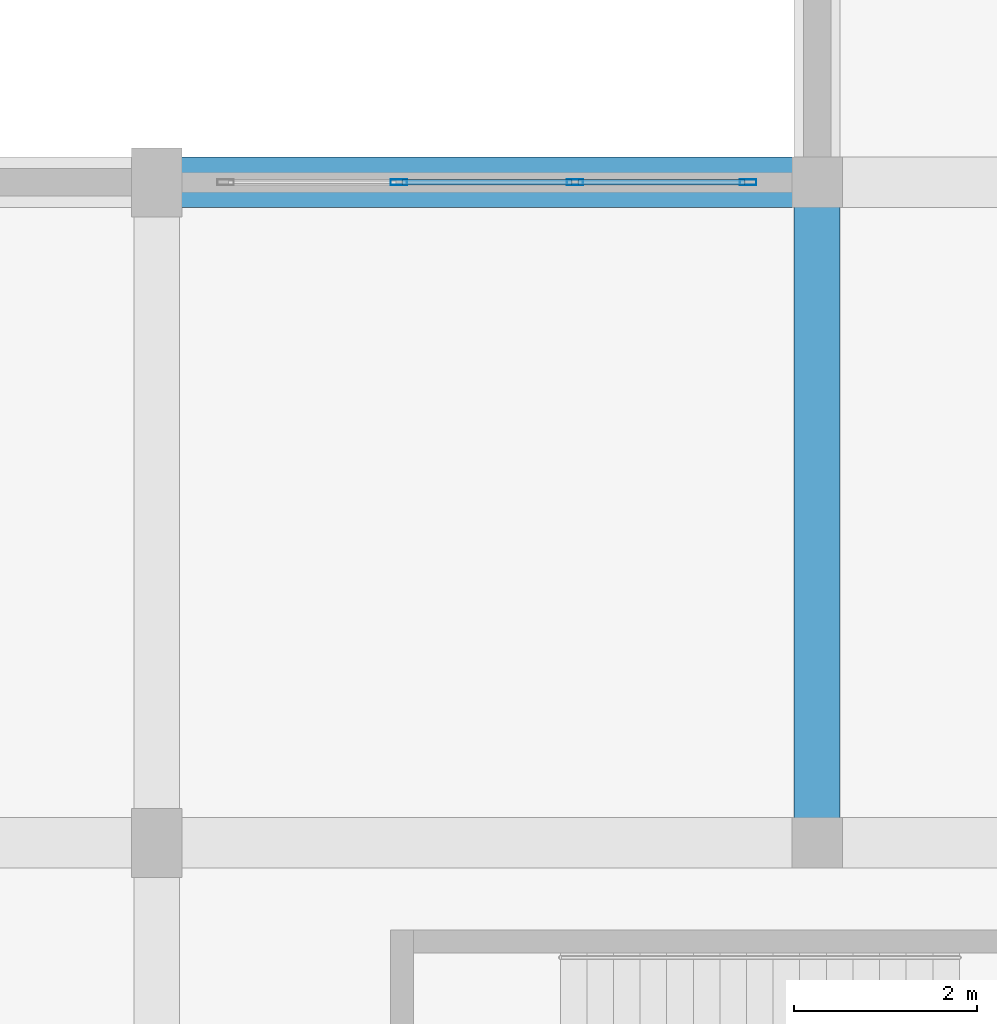
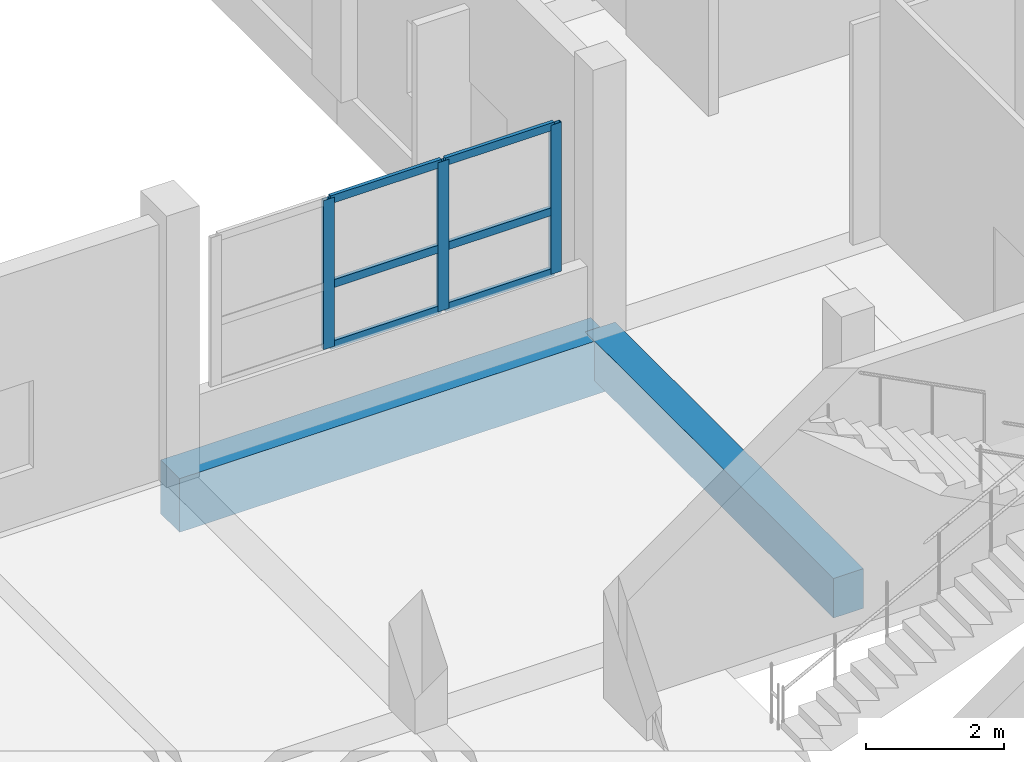
# One storey, part 115 of 181: 9 members, 2 beams, 1 element without a shape of its own.
"""IFC4 building model written with IfcOpenShell, lengths in metres."""

import ifcopenshell
import ifcopenshell.guid

model = None  # the IFC model being written
_history = None  # IfcOwnerHistory: only IFC2X3 demands one
_inside = {}  # id of a spatial element -> (the spatial element, [elements in it])
_under = {}  # id of a project, library or spatial element -> (it, [spatial elements below it])
_declared = {}  # id of a project -> (the project, [libraries it declares])
_typed = {}  # id of a type object -> (the type object, [elements of that type])
_made_of = {}  # id of a material, layer set ... -> (it, [elements and type objects made of it])


def new_model(schema):
    """Start an empty IFC model of exactly this schema.

    Asked for "IFC4X3", IfcOpenShell would pick the latest addendum, in which some entities
    have other attributes; the version numbers below select the first issue.
    IFC2X3 requires an IfcOwnerHistory on every rooted entity: one is made here for all.
    """
    global model, _history
    if schema == "IFC4X3":
        model = ifcopenshell.file(schema_version=(4, 3, 0, 0))
    else:
        model = ifcopenshell.file(schema=schema)
    _inside.clear()
    _under.clear()
    _declared.clear()
    _typed.clear()
    _made_of.clear()
    _history = None
    if model.schema == "IFC2X3":
        org = make("IfcOrganization", Name="unknown")
        user = make(
            "IfcPersonAndOrganization",
            ThePerson=make("IfcPerson", FamilyName="unknown"),
            TheOrganization=org,
        )
        app = make(
            "IfcApplication",
            ApplicationDeveloper=org,
            Version="unknown",
            ApplicationFullName="unknown",
            ApplicationIdentifier="unknown",
        )
        _history = make(
            "IfcOwnerHistory",
            OwningUser=user,
            OwningApplication=app,
            ChangeAction="ADDED",
            CreationDate=0,
        )
    return model


def make(cls, **values):
    """One entity of the class cls with the attributes given. An attribute that is None is left unset."""
    return model.create_entity(
        cls, **{name: value for name, value in values.items() if value is not None}
    )


def rooted(cls, **values):
    """An entity with a GlobalId (a new one), such as an element, a storey or a relation."""
    return make(cls, GlobalId=ifcopenshell.guid.new(), OwnerHistory=_history, **values)


def si_unit(unit_type, name, prefix=None):
    """IfcSIUnit, for example si_unit("LENGTHUNIT", "METRE", prefix="MILLI")."""
    return make("IfcSIUnit", UnitType=unit_type, Prefix=prefix, Name=name)


def assignment(units):
    """IfcUnitAssignment: the units of a project."""
    return None if units is None else make("IfcUnitAssignment", Units=units)


def point(xyz):
    """IfcCartesianPoint."""
    return None if xyz is None else make("IfcCartesianPoint", Coordinates=xyz)


def direction(xyz):
    """IfcDirection."""
    return None if xyz is None else make("IfcDirection", DirectionRatios=xyz)


def frame(location, z_axis=None, x_axis=None):
    """IfcAxis2Placement3D, a coordinate frame: its origin and axes. An axis left out is left unset."""
    return make(
        "IfcAxis2Placement3D",
        Location=point(location),
        Axis=direction(z_axis),
        RefDirection=direction(x_axis),
    )


def frame_2d(location, x_axis=None):
    """IfcAxis2Placement2D, a coordinate frame in the plane: its origin and x axis."""
    return make(
        "IfcAxis2Placement2D", Location=point(location), RefDirection=direction(x_axis)
    )


def origin():
    """The frame at (0, 0, 0) with its axes left unset."""
    return frame((0.0, 0.0, 0.0))


def origin_2d():
    """The frame at (0, 0) in the plane with its x axis left unset."""
    return frame_2d((0.0, 0.0))


def place(relative_to, where):
    """IfcLocalPlacement: puts the frame where relative to a parent placement (None: the world)."""
    return make(
        "IfcLocalPlacement", PlacementRelTo=relative_to, RelativePlacement=where
    )


def context(
    kind, dimensions, precision=None, world=None, true_north=None, identifier=None
):
    """IfcGeometricRepresentationContext, for example the 3D "Model" context."""
    return make(
        "IfcGeometricRepresentationContext",
        ContextIdentifier=identifier,
        ContextType=kind,
        CoordinateSpaceDimension=dimensions,
        Precision=precision,
        WorldCoordinateSystem=world,
        TrueNorth=true_north,
    )


def subcontext(parent, identifier, kind, view, scale=None):
    """IfcGeometricRepresentationSubContext, for example "Body" below "Model"."""
    return make(
        "IfcGeometricRepresentationSubContext",
        ContextIdentifier=identifier,
        ContextType=kind,
        ParentContext=parent,
        TargetScale=scale,
        TargetView=view,
    )


def project(units=None, contexts=None):
    """IfcProject with its units and contexts."""
    return rooted(
        "IfcProject",
        Name="project",
        RepresentationContexts=contexts,
        UnitsInContext=assignment(units),
    )


def spatial(cls, under=None, at=None, **own):
    """A site, building, storey or space (cls), placed at a placement, below another one or the project."""
    s = rooted(cls, ObjectPlacement=at, **own)
    if under is not None:
        _under.setdefault(under.id(), (under, []))[1].append(s)
    return s


def profile(cls, at=None, kind="AREA", **sizes):
    """A parametric profile (cls). Its sizes go by their IFC names, for example OverallWidth=200.0."""
    return make(cls, ProfileType=kind, Position=at, **sizes)


def rectangle(**sizes):
    """IfcRectangleProfileDef."""
    return profile("IfcRectangleProfileDef", **sizes)


def hollow_rectangle(**sizes):
    """IfcRectangleHollowProfileDef."""
    return profile("IfcRectangleHollowProfileDef", **sizes)


def extrude(swept, where, along, depth):
    """IfcExtrudedAreaSolid: the profile swept, set in the frame where, extruded along a direction by depth."""
    return make(
        "IfcExtrudedAreaSolid",
        SweptArea=swept,
        Position=where,
        ExtrudedDirection=direction(along),
        Depth=depth,
    )


def shape(context_of_items, identifier, shape_type, items):
    """IfcShapeRepresentation: the items that make up one representation, for example the "Body"."""
    return make(
        "IfcShapeRepresentation",
        ContextOfItems=context_of_items,
        RepresentationIdentifier=identifier,
        RepresentationType=shape_type,
        Items=items,
    )


def material(Name=None, Category=None):
    """IfcMaterial."""
    return make("IfcMaterial", Name=Name, Category=Category)


def layer(
    of_material, thickness, ventilated=None, Name=None, Category=None, Priority=None
):
    """IfcMaterialLayer: one layer of a wall or slab, of a material (None: an air gap)."""
    return make(
        "IfcMaterialLayer",
        Material=of_material,
        LayerThickness=thickness,
        IsVentilated=ventilated,
        Name=Name,
        Category=Category,
        Priority=Priority,
    )


def layer_set(layers, Name=None):
    """IfcMaterialLayerSet."""
    return make("IfcMaterialLayerSet", MaterialLayers=layers, LayerSetName=Name)


def material_profile(
    of_material, cross_section, Name=None, Category=None, Priority=None
):
    """IfcMaterialProfile: a cross section and its material."""
    return make(
        "IfcMaterialProfile",
        Name=Name,
        Material=of_material,
        Profile=cross_section,
        Priority=Priority,
        Category=Category,
    )


def profile_set(profiles, Name=None, composite=None):
    """IfcMaterialProfileSet."""
    return make(
        "IfcMaterialProfileSet",
        Name=Name,
        MaterialProfiles=profiles,
        CompositeProfile=composite,
    )


def made_of(thing, what):
    """Note that an element or type object is made of a material, layer set ...; save() writes the relation."""
    if what is not None:
        _made_of.setdefault(what.id(), (what, []))[1].append(thing)
    return thing


def type_object(cls, material=None, **own):
    """A type object (cls), such as IfcWallType, which elements share."""
    return made_of(rooted(cls, **own), material)


def element(
    cls,
    number,
    at=None,
    inside=None,
    cuts=None,
    type_object=None,
    material=None,
    context=None,
    identifier="Body",
    shape_type=None,
    held_by="IfcProductDefinitionShape",
    body=None,
    shapes=None,
    **own,
):
    """One element of the class cls, such as IfcWall. Its Tag is "e" and its number.

    at: its placement. inside: the storey or other place that contains it. cuts: it is an
    opening in that element (IfcRelVoidsElement). A single representation is given by context,
    identifier, shape_type and body (its items); several are given by shapes. held_by: the class
    of the entity that holds the representations. save() writes the other relations.
    """
    e = rooted(cls, Tag="e%d" % number, ObjectPlacement=at, **own)
    if body is not None:
        shapes = [shape(context, identifier, shape_type, body)]
    if shapes is not None:
        e.Representation = make(held_by, Representations=shapes)
    if inside is not None:
        _inside.setdefault(inside.id(), (inside, []))[1].append(e)
    if cuts is not None:
        rooted(
            "IfcRelVoidsElement", RelatingBuildingElement=cuts, RelatedOpeningElement=e
        )
    if type_object is not None:
        _typed.setdefault(type_object.id(), (type_object, []))[1].append(e)
    return made_of(e, material)


def aggregate(whole, parts):
    """IfcRelAggregates: a whole, such as a stair, and the parts it consists of."""
    return rooted("IfcRelAggregates", RelatingObject=whole, RelatedObjects=parts)


def save(model, path):
    """Write the relations noted so far, then the file.

    IfcRelAggregates (storeys below a building ...), IfcRelContainedInSpatialStructure (elements
    in a storey), IfcRelDefinesByType, IfcRelAssociatesMaterial and IfcRelDeclares: one each for
    every whole, place, type object, material and project.
    """
    for whole, parts in _under.values():
        aggregate(whole, parts)
    for where, things in _inside.values():
        rooted(
            "IfcRelContainedInSpatialStructure",
            RelatedElements=things,
            RelatingStructure=where,
        )
    for kind, things in _typed.values():
        rooted("IfcRelDefinesByType", RelatedObjects=things, RelatingType=kind)
    for what, things in _made_of.values():
        rooted("IfcRelAssociatesMaterial", RelatedObjects=things, RelatingMaterial=what)
    for by, libraries in _declared.values():
        rooted("IfcRelDeclares", RelatingContext=by, RelatedDefinitions=libraries)
    model.write(path)


model = new_model("IFC4")

# Units and contexts
model_context = context("Model", 3, precision=1e-05, world=origin(), true_north=direction((0.0, 1.0)))
body_context = subcontext(model_context, "Body", "Model", "MODEL_VIEW")
ifc_project = project(units=[si_unit("LENGTHUNIT", "METRE"), si_unit("AREAUNIT", "SQUARE_METRE"), si_unit("VOLUMEUNIT", "CUBIC_METRE"), si_unit("PLANEANGLEUNIT", "RADIAN"), si_unit("MASSUNIT", "GRAM", prefix="KILO")], contexts=[model_context])

# Site, building, storey
site_placement = place(None, origin())
site = spatial("IfcSite", under=ifc_project, at=site_placement, CompositionType="ELEMENT")
building_placement = place(site_placement, origin())
building = spatial("IfcBuilding", under=site, at=building_placement, Name="Seraya Terrace Polytechnic", CompositionType="ELEMENT")
storey_placement = place(building_placement, frame((0.0, 0.0, 4.800048828125)))
storey = spatial("IfcBuildingStorey", under=building, at=storey_placement, Name="L01", CompositionType="ELEMENT", Elevation=4.800048828125)

# Beams
ifc_material_1 = material(Name="Concrete C40/50", Category="concrete")
ifc_material_profile_1 = material_profile(ifc_material_1, rectangle(XDim=0.550048828125, YDim=0.949951171875, at=origin_2d()), Name="RC 550x950")
ifc_profile_set_1 = profile_set([ifc_material_profile_1], Name="Concrete C40/50")
beam_type_1 = type_object("IfcBeamType", Name="BM-03", PredefinedType="BEAM", material=ifc_profile_set_1)
beam_1_placement = place(storey_placement, frame((136.800048828125, 36.0, -0.47509765625), z_axis=(1.0, 0.0, 0.0), x_axis=(0.0, 1.0, 0.0)))
element("IfcBeam", 1, at=beam_1_placement, inside=storey, type_object=beam_type_1, Name="Beam BM-03 L01 X (136.8..144.0, 36.0)", PredefinedType="BEAM", context=body_context, shape_type="SweptSolid", body=[
    extrude(rectangle(XDim=0.550048828125, YDim=0.949951171875, at=origin_2d()), origin(), (0.0, 0.0, 1.0), 7.199951171875),
])
ifc_material_profile_2 = material_profile(ifc_material_1, rectangle(XDim=0.5, YDim=0.699951171875, at=origin_2d()), Name="RC 500x700")
ifc_profile_set_2 = profile_set([ifc_material_profile_2], Name="Concrete C40/50")
beam_type_2 = type_object("IfcBeamType", Name="BM-07", PredefinedType="BEAM", material=ifc_profile_set_2)
beam_2_placement = place(storey_placement, frame((144.0, 28.800048828125, -0.35009765625), z_axis=(0.0, 1.0, 0.0), x_axis=(-1.0, 0.0, 0.0)))
element("IfcBeam", 2, at=beam_2_placement, inside=storey, type_object=beam_type_2, Name="Beam BM-07 L01 Y (144.0, 28.8..36.0)", PredefinedType="BEAM", context=body_context, shape_type="SweptSolid", body=[
    extrude(rectangle(XDim=0.5, YDim=0.699951171875, at=origin_2d()), origin(), (0.0, 0.0, 1.0), 7.199951171875),
])

# Curtain wall, members
ifc_material_2 = material(Name="Anodised aluminium EN AW-6063 T6", Category="aluminium")
ifc_layer = layer(ifc_material_2, 0.179931640625, Name="CW-19")
ifc_layer_set = layer_set([ifc_layer], Name="Anodised aluminium EN AW-6063 T6")
curtain_wall_type = type_object("IfcCurtainWallType", Name="CW-19", PredefinedType="NOTDEFINED", material=ifc_layer_set)
curtain_wall_placement = place(storey_placement, origin())
curtain_wall = element("IfcCurtainWall", 3, at=curtain_wall_placement, inside=storey, type_object=curtain_wall_type, Name="Unitised curtain wall CW-19 (CW-L01-055)", PredefinedType="NOTDEFINED")
ifc_material_profile_3 = material_profile(ifc_material_2, hollow_rectangle(XDim=0.06494140625, YDim=0.179931640625, WallThickness=0.00390625, at=origin_2d()), Name="RHS 180x65x4.0")
ifc_profile_set_3 = profile_set([ifc_material_profile_3], Name="Anodised aluminium EN AW-6063 T6")
member_type_1 = type_object("IfcMemberType", Name="CWM-01", PredefinedType="MULLION", material=ifc_profile_set_3)
member_1_placement = place(storey_placement, frame((139.43994140625, 36.0, 1.239990234375), z_axis=(0.0, 0.0, 1.0), x_axis=(0.0, 1.0, 0.0)))
member_1 = element("IfcMember", 4, at=member_1_placement, type_object=member_type_1, Name="CW-19 mullion 2", PredefinedType="MULLION", context=body_context, shape_type="SweptSolid", body=[
    extrude(hollow_rectangle(XDim=0.06494140625, YDim=0.179931640625, WallThickness=0.00390625, at=origin_2d()), origin(), (0.0, 0.0, 1.0), 2.639892578125),
])
member_2_placement = place(storey_placement, frame((141.360107421875, 36.0, 1.239990234375), z_axis=(0.0, 0.0, 1.0), x_axis=(0.0, 1.0, 0.0)))
member_2 = element("IfcMember", 5, at=member_2_placement, type_object=member_type_1, Name="CW-19 mullion 3", PredefinedType="MULLION", context=body_context, shape_type="SweptSolid", body=[
    extrude(hollow_rectangle(XDim=0.06494140625, YDim=0.179931640625, WallThickness=0.00390625, at=origin_2d()), origin(), (0.0, 0.0, 1.0), 2.639892578125),
])
member_3_placement = place(storey_placement, frame((143.24755859375, 36.0, 1.239990234375), z_axis=(0.0, 0.0, 1.0), x_axis=(0.0, 1.0, 0.0)))
member_3 = element("IfcMember", 6, at=member_3_placement, type_object=member_type_1, Name="CW-19 mullion 4", PredefinedType="MULLION", context=body_context, shape_type="SweptSolid", body=[
    extrude(hollow_rectangle(XDim=0.06494140625, YDim=0.179931640625, WallThickness=0.00390625, at=origin_2d()), origin(), (0.0, 0.0, 1.0), 2.639892578125),
])
ifc_material_profile_4 = material_profile(ifc_material_2, hollow_rectangle(XDim=0.06005859375, YDim=0.139892578125, WallThickness=0.00341796875, at=origin_2d()), Name="RHS 140x60x3.5")
ifc_profile_set_4 = profile_set([ifc_material_profile_4], Name="Anodised aluminium EN AW-6063 T6")
member_type_2 = type_object("IfcMemberType", Name="CWT-01", PredefinedType="USERDEFINED", material=ifc_profile_set_4)
member_4_placement = place(storey_placement, frame((139.472412109375, 36.0, 1.27001953125), z_axis=(1.0, 0.0, 0.0), x_axis=(0.0, 1.0, 0.0)))
member_4 = element("IfcMember", 7, at=member_4_placement, type_object=member_type_2, Name="CW-19 transom 2.1", ObjectType="TRANSOM", PredefinedType="USERDEFINED", context=body_context, shape_type="SweptSolid", body=[
    extrude(hollow_rectangle(XDim=0.06005859375, YDim=0.139892578125, WallThickness=0.00341796875, at=origin_2d()), origin(), (0.0, 0.0, 1.0), 1.85498046875),
])
member_5_placement = place(storey_placement, frame((139.472412109375, 36.0, 2.3486328125), z_axis=(1.0, 0.0, 0.0), x_axis=(0.0, 1.0, 0.0)))
member_5 = element("IfcMember", 8, at=member_5_placement, type_object=member_type_2, Name="CW-19 transom 2.2", ObjectType="TRANSOM", PredefinedType="USERDEFINED", context=body_context, shape_type="SweptSolid", body=[
    extrude(hollow_rectangle(XDim=0.06005859375, YDim=0.139892578125, WallThickness=0.00341796875, at=origin_2d()), origin(), (0.0, 0.0, 1.0), 1.85498046875),
])
member_6_placement = place(storey_placement, frame((139.472412109375, 36.0, 3.849853515625), z_axis=(1.0, 0.0, 0.0), x_axis=(0.0, 1.0, 0.0)))
member_6 = element("IfcMember", 9, at=member_6_placement, type_object=member_type_2, Name="CW-19 transom 2.3", ObjectType="TRANSOM", PredefinedType="USERDEFINED", context=body_context, shape_type="SweptSolid", body=[
    extrude(hollow_rectangle(XDim=0.06005859375, YDim=0.139892578125, WallThickness=0.00341796875, at=origin_2d()), origin(), (0.0, 0.0, 1.0), 1.85498046875),
])
member_7_placement = place(storey_placement, frame((141.392578125, 36.0, 1.27001953125), z_axis=(1.0, 0.0, 0.0), x_axis=(0.0, 1.0, 0.0)))
member_7 = element("IfcMember", 10, at=member_7_placement, type_object=member_type_2, Name="CW-19 transom 3.1", ObjectType="TRANSOM", PredefinedType="USERDEFINED", context=body_context, shape_type="SweptSolid", body=[
    extrude(hollow_rectangle(XDim=0.06005859375, YDim=0.139892578125, WallThickness=0.00341796875, at=origin_2d()), origin(), (0.0, 0.0, 1.0), 1.822509765625),
])
member_8_placement = place(storey_placement, frame((141.392578125, 36.0, 2.3486328125), z_axis=(1.0, 0.0, 0.0), x_axis=(0.0, 1.0, 0.0)))
member_8 = element("IfcMember", 11, at=member_8_placement, type_object=member_type_2, Name="CW-19 transom 3.2", ObjectType="TRANSOM", PredefinedType="USERDEFINED", context=body_context, shape_type="SweptSolid", body=[
    extrude(hollow_rectangle(XDim=0.06005859375, YDim=0.139892578125, WallThickness=0.00341796875, at=origin_2d()), origin(), (0.0, 0.0, 1.0), 1.822509765625),
])
member_9_placement = place(storey_placement, frame((141.392578125, 36.0, 3.849853515625), z_axis=(1.0, 0.0, 0.0), x_axis=(0.0, 1.0, 0.0)))
member_9 = element("IfcMember", 12, at=member_9_placement, type_object=member_type_2, Name="CW-19 transom 3.3", ObjectType="TRANSOM", PredefinedType="USERDEFINED", context=body_context, shape_type="SweptSolid", body=[
    extrude(hollow_rectangle(XDim=0.06005859375, YDim=0.139892578125, WallThickness=0.00341796875, at=origin_2d()), origin(), (0.0, 0.0, 1.0), 1.822509765625),
])
aggregate(curtain_wall, [member_1, member_2, member_3, member_4, member_5, member_6, member_7, member_8, member_9])

save(model, "model.ifc")
